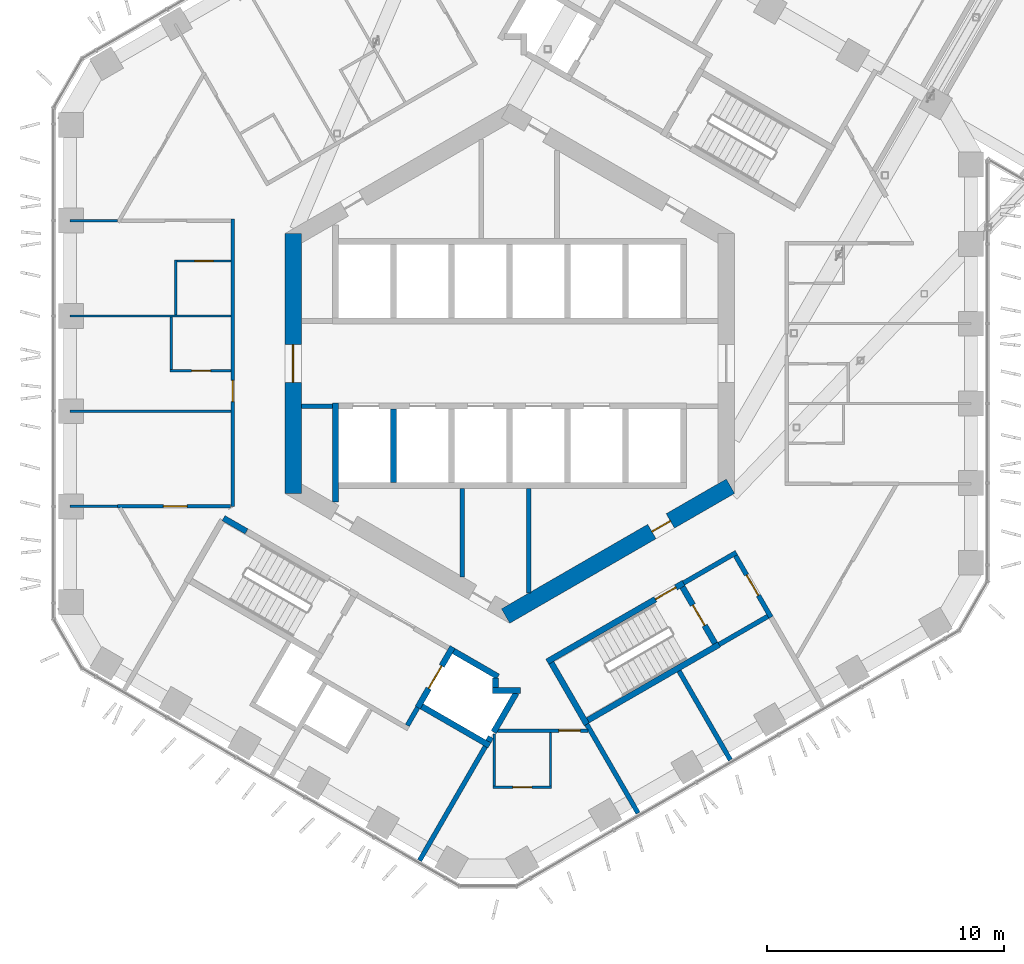
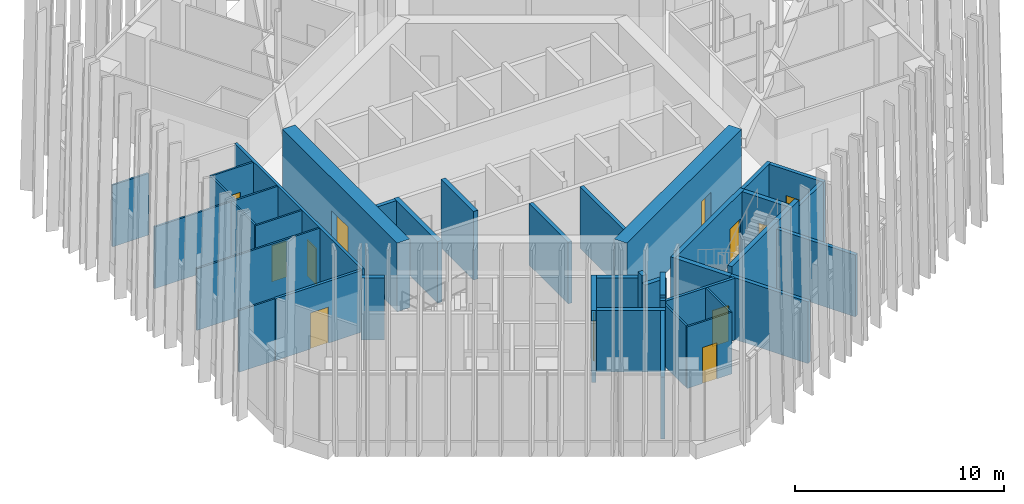
# One storey, part 20 of 31: 40 walls, 12 doors, 12 openings.
"""IFC4 building model written with IfcOpenShell, lengths in metres."""

from ifc_helpers import new_model, si_unit, direction, frame, frame_2d, origin, place, context, subcontext, project, spatial, rectangle, extrude, material, layer, layer_set, type_object, element, fill, save


model = new_model("IFC4")

# Units and contexts
model_context = context("Model", 3, precision=1e-05, world=origin(), true_north=direction((0.0, 1.0)))
body_context = subcontext(model_context, "Body", "Model", "MODEL_VIEW")
ifc_project = project(units=[si_unit("LENGTHUNIT", "METRE"), si_unit("AREAUNIT", "SQUARE_METRE"), si_unit("VOLUMEUNIT", "CUBIC_METRE"), si_unit("PLANEANGLEUNIT", "RADIAN"), si_unit("MASSUNIT", "GRAM", prefix="KILO")], contexts=[model_context])

# Site, building, storey
site_placement = place(None, origin())
site = spatial("IfcSite", under=ifc_project, at=site_placement, CompositionType="ELEMENT")
building_placement = place(site_placement, origin())
building = spatial("IfcBuilding", under=site, at=building_placement, Name="Ayvan Gate Tower", CompositionType="ELEMENT")
storey_placement = place(building_placement, frame((0.0, 0.0, 135.89990234375)))
storey = spatial("IfcBuildingStorey", under=building, at=storey_placement, Name="L36", CompositionType="ELEMENT", Elevation=135.89990234375)

# Wall, opening, door
ifc_material_1 = material(Name="Concrete C70/85", Category="concrete")
ifc_layer_1 = layer(ifc_material_1, 0.699951171875)
ifc_layer_set_1 = layer_set([ifc_layer_1], Name="Concrete C70/85")
wall_type_1 = type_object("IfcWallType", Name="Core wall 700 C70/85", PredefinedType="SHEAR", material=ifc_layer_set_1)
wall_1_placement = place(storey_placement, frame((-9.14990234375, 5.48486328125, 0.0), z_axis=(0.0, 0.0, 1.0), x_axis=(0.0, -1.0, 0.0)))
wall_1 = element("IfcWall", 1, at=wall_1_placement, inside=storey, type_object=wall_type_1, Name="CORE-L36-3", PredefinedType="SHEAR", context=body_context, shape_type="SweptSolid", body=[
    extrude(rectangle(XDim=10.9697265625, YDim=0.699951171875, at=frame_2d((5.48486328125, 0.0))), origin(), (0.0, 0.0, 1.0), 4.0),
])
opening_1_placement = place(wall_1_placement, frame((4.684814453125, 0.0, 0.0)))
opening_1 = element("IfcOpeningElement", 2, at=opening_1_placement, cuts=wall_1, Name="Opening L36-D56", PredefinedType="OPENING", context=body_context, shape_type="SweptSolid", body=[
    extrude(rectangle(XDim=1.60009765625, YDim=2.10009765625, at=frame_2d((0.800048828125, 1.050048828125))), frame((0.0, 0.35986328125, 0.0), z_axis=(0.0, -1.0, 0.0), x_axis=(1.0, 0.0, 0.0)), (0.0, 0.0, 1.0), 0.719970703125),
])
ifc_material_2 = material(Name="Timber door leaf", Category="wood")
door_type_1 = type_object("IfcDoorType", Name="DT-1600", OperationType="NOTDEFINED", PredefinedType="DOOR", material=ifc_material_2)
door_1_placement = place(opening_1_placement, origin())
door_1 = element("IfcDoor", 3, at=door_1_placement, inside=storey, type_object=door_type_1, Name="CD-L36-56", OperationType="SINGLE_SWING_RIGHT", OverallHeight=2.10009765625, OverallWidth=1.60009765625, PredefinedType="DOOR", context=body_context, shape_type="SweptSolid", body=[
    extrude(rectangle(XDim=1.60009765625, YDim=2.10009765625, at=frame_2d((0.800048828125, 1.050048828125))), frame((0.0, 0.02490234375, 0.0), z_axis=(0.0, -1.0, 0.0), x_axis=(1.0, 0.0, 0.0)), (0.0, 0.0, 1.0), 0.050048828125),
])
fill(opening_1, door_1)

wall_2_placement = place(storey_placement, frame((-0.175048828125, -10.66650390625, 0.0), z_axis=(0.0, 0.0, 1.0), x_axis=(0.866023993627, 0.500002442456, 0.0)))
wall_2 = element("IfcWall", 4, at=wall_2_placement, inside=storey, type_object=wall_type_1, Name="CORE-L36-5", PredefinedType="SHEAR", context=body_context, shape_type="SweptSolid", body=[
    extrude(rectangle(XDim=10.9697265625, YDim=0.699951171875, at=frame_2d((5.48486328125, 0.0))), origin(), (0.0, 0.0, 1.0), 4.0),
])
opening_2_placement = place(wall_2_placement, frame((7.136962890625, 0.0, 0.0)))
opening_2 = element("IfcOpeningElement", 5, at=opening_2_placement, cuts=wall_2, Name="Opening L36-D54", PredefinedType="OPENING", context=body_context, shape_type="SweptSolid", body=[
    extrude(rectangle(XDim=0.89990234375, YDim=2.10009765625, at=frame_2d((0.449951171875, 1.050048828125))), frame((0.0, 0.35986328125, 0.0), z_axis=(0.0, -1.0, 0.0), x_axis=(1.0, 0.0, 0.0)), (0.0, 0.0, 1.0), 0.719970703125),
])
door_type_2 = type_object("IfcDoorType", Name="DT-900", OperationType="NOTDEFINED", PredefinedType="DOOR", material=ifc_material_2)
door_2_placement = place(opening_2_placement, origin())
door_2 = element("IfcDoor", 6, at=door_2_placement, inside=storey, type_object=door_type_2, Name="CD-L36-54", OperationType="SINGLE_SWING_RIGHT", OverallHeight=2.10009765625, OverallWidth=0.89990234375, PredefinedType="DOOR", context=body_context, shape_type="SweptSolid", body=[
    extrude(rectangle(XDim=0.89990234375, YDim=2.10009765625, at=frame_2d((0.449951171875, 1.050048828125))), frame((0.0, 0.02490234375, 0.0), z_axis=(0.0, -1.0, 0.0), x_axis=(1.0, 0.0, 0.0)), (0.0, 0.0, 1.0), 0.050048828125),
])
fill(opening_2, door_2)

ifc_material_3 = material(Name="Plasterboard on steel stud", Category="steel")
ifc_layer_2 = layer(ifc_material_3, 0.14990234375)
ifc_layer_set_2 = layer_set([ifc_layer_2], Name="Plasterboard on steel stud")
wall_type_2 = type_object("IfcWallType", Name="WT-CORR-150", PredefinedType="PARTITIONING", material=ifc_layer_set_2)
wall_3_placement = place(storey_placement, frame((-16.57421875, -6.030029296875, 0.0), z_axis=(0.0, 0.0, 1.0), x_axis=(1.0, 0.0, 0.0)))
wall_3 = element("IfcWall", 7, at=wall_3_placement, inside=storey, type_object=wall_type_2, Name="IW-L36-002", PredefinedType="PARTITIONING", context=body_context, shape_type="SweptSolid", body=[
    extrude(rectangle(XDim=4.77880859375, YDim=0.14990234375, at=frame_2d((2.389404296875, 0.0))), origin(), (0.0, 0.0, 1.0), 3.60009765625),
])
opening_3_placement = place(wall_3_placement, frame((1.9443359375, 0.0, 0.0)))
opening_3 = element("IfcOpeningElement", 8, at=opening_3_placement, cuts=wall_3, Name="Opening L36-D28", PredefinedType="OPENING", context=body_context, shape_type="SweptSolid", body=[
    extrude(rectangle(XDim=1.0, YDim=2.10009765625, at=frame_2d((0.5, 1.050048828125))), frame((0.0, 0.0849609375, 0.0), z_axis=(0.0, -1.0, 0.0), x_axis=(1.0, 0.0, 0.0)), (0.0, 0.0, 1.0), 0.169921875),
])
door_type_3 = type_object("IfcDoorType", Name="DT-1000", OperationType="NOTDEFINED", PredefinedType="DOOR", material=ifc_material_2)
door_3_placement = place(opening_3_placement, origin())
door_3 = element("IfcDoor", 9, at=door_3_placement, inside=storey, type_object=door_type_3, Name="ID-L36-028", OperationType="SINGLE_SWING_RIGHT", OverallHeight=2.10009765625, OverallWidth=1.0, PredefinedType="DOOR", context=body_context, shape_type="SweptSolid", body=[
    extrude(rectangle(XDim=1.0, YDim=2.10009765625, at=frame_2d((0.5, 1.050048828125))), frame((0.0, 0.02490234375, 0.0), z_axis=(0.0, -1.0, 0.0), x_axis=(1.0, 0.0, 0.0)), (0.0, 0.0, 1.0), 0.050048828125),
])
fill(opening_3, door_3)

wall_4_placement = place(storey_placement, frame((-11.699951171875, 6.10498046875, 0.0), z_axis=(0.0, 0.0, 1.0), x_axis=(0.0, -1.0, 0.0)))
wall_4 = element("IfcWall", 10, at=wall_4_placement, inside=storey, type_object=wall_type_2, Name="IW-L36-015", PredefinedType="PARTITIONING", context=body_context, shape_type="SweptSolid", body=[
    extrude(rectangle(XDim=12.135009765625, YDim=0.14990234375, at=frame_2d((6.0673828125, 0.0))), origin(), (0.0, 0.0, 1.0), 3.60009765625),
])
opening_4_placement = place(wall_4_placement, frame((6.81494140625, 0.0, 0.0)))
opening_4 = element("IfcOpeningElement", 11, at=opening_4_placement, cuts=wall_4, Name="Opening L36-D26", PredefinedType="OPENING", context=body_context, shape_type="SweptSolid", body=[
    extrude(rectangle(XDim=0.89990234375, YDim=2.10009765625, at=frame_2d((0.449951171875, 1.050048828125))), frame((0.0, 0.0849609375, 0.0), z_axis=(0.0, -1.0, 0.0), x_axis=(1.0, 0.0, 0.0)), (0.0, 0.0, 1.0), 0.169921875),
])
door_4_placement = place(opening_4_placement, origin())
door_4 = element("IfcDoor", 12, at=door_4_placement, inside=storey, type_object=door_type_2, Name="ID-L36-026", OperationType="SINGLE_SWING_RIGHT", OverallHeight=2.10009765625, OverallWidth=0.89990234375, PredefinedType="DOOR", context=body_context, shape_type="SweptSolid", body=[
    extrude(rectangle(XDim=0.89990234375, YDim=2.10009765625, at=frame_2d((0.449951171875, 1.050048828125))), frame((0.0, 0.02490234375, 0.0), z_axis=(0.0, -1.0, 0.0), x_axis=(1.0, 0.0, 0.0)), (0.0, 0.0, 1.0), 0.050048828125),
])
fill(opening_4, door_4)

wall_5_placement = place(storey_placement, frame((-0.51220703125, -15.50390625, 0.0), z_axis=(0.0, 0.0, 1.0), x_axis=(1.0, 0.0, 0.0)))
wall_5 = element("IfcWall", 13, at=wall_5_placement, inside=storey, type_object=wall_type_2, Name="IW-L36-074", PredefinedType="PARTITIONING", context=body_context, shape_type="SweptSolid", body=[
    extrude(rectangle(XDim=3.82080078125, YDim=0.14990234375, at=frame_2d((1.910400390625, 0.0))), origin(), (0.0, 0.0, 1.0), 3.60009765625),
])
opening_5_placement = place(wall_5_placement, frame((2.594482421875, 0.0, 0.0)))
opening_5 = element("IfcOpeningElement", 14, at=opening_5_placement, cuts=wall_5, Name="Opening L36-D30", PredefinedType="OPENING", context=body_context, shape_type="SweptSolid", body=[
    extrude(rectangle(XDim=0.89990234375, YDim=2.10009765625, at=frame_2d((0.449951171875, 1.050048828125))), frame((0.0, 0.0849609375, 0.0), z_axis=(0.0, -1.0, 0.0), x_axis=(1.0, 0.0, 0.0)), (0.0, 0.0, 1.0), 0.169921875),
])
door_5_placement = place(opening_5_placement, origin())
door_5 = element("IfcDoor", 15, at=door_5_placement, inside=storey, type_object=door_type_2, Name="ID-L36-030", OperationType="SINGLE_SWING_RIGHT", OverallHeight=2.10009765625, OverallWidth=0.89990234375, PredefinedType="DOOR", context=body_context, shape_type="SweptSolid", body=[
    extrude(rectangle(XDim=0.89990234375, YDim=2.10009765625, at=frame_2d((0.449951171875, 1.050048828125))), frame((0.0, 0.02490234375, 0.0), z_axis=(0.0, -1.0, 0.0), x_axis=(1.0, 0.0, 0.0)), (0.0, 0.0, 1.0), 0.050048828125),
])
fill(opening_5, door_5)

# Walls
ifc_layer_3 = layer(ifc_material_3, 0.10009765625)
ifc_layer_set_3 = layer_set([ifc_layer_3], Name="Plasterboard on steel stud")
wall_type_3 = type_object("IfcWallType", Name="WT-PART-100", PredefinedType="PARTITIONING", material=ifc_layer_set_3)
for number, where, z_axis, x_axis, name in (
    (16, (-16.57421875, 6.030029296875, 0.0), (0.0, 0.0, 1.0), (-1.0, 0.0, 0.0), "IW-L36-000"),
    (17, (-16.57421875, -6.030029296875, 0.0), (0.0, 0.0, 1.0), (-1.0, 0.0, 0.0), "IW-L36-003"),
):
    element("IfcWall", number, at=place(storey_placement, frame(where, z_axis=z_axis, x_axis=x_axis)), inside=storey, type_object=wall_type_3, Name=name, PredefinedType="PARTITIONING", context=body_context, shape_type="SweptSolid", body=[
        extrude(rectangle(XDim=1.98974609375, YDim=0.10009765625, at=frame_2d((0.994873046875, 0.0))), origin(), (0.0, 0.0, 1.0), 3.60009765625),
    ])

# Wall, opening, door
wall_6_placement = place(storey_placement, frame((-14.35009765625, -0.31005859375, 0.0), z_axis=(0.0, 0.0, 1.0), x_axis=(1.0, 0.0, 0.0)))
wall_6 = element("IfcWall", 18, at=wall_6_placement, inside=storey, type_object=wall_type_3, Name="IW-L36-005", PredefinedType="PARTITIONING", context=body_context, shape_type="SweptSolid", body=[
    extrude(rectangle(XDim=2.5751953125, YDim=0.10009765625, at=frame_2d((1.28759765625, 0.0))), origin(), (0.0, 0.0, 1.0), 3.60009765625),
])
opening_6_placement = place(wall_6_placement, frame((0.91259765625, 0.0, 0.0)))
opening_6 = element("IfcOpeningElement", 19, at=opening_6_placement, cuts=wall_6, Name="Opening L36-D27", PredefinedType="OPENING", context=body_context, shape_type="SweptSolid", body=[
    extrude(rectangle(XDim=0.800048828125, YDim=2.10009765625, at=frame_2d((0.39990234375, 1.050048828125))), frame((0.0, 0.06005859375, 0.0), z_axis=(0.0, -1.0, 0.0), x_axis=(1.0, 0.0, 0.0)), (0.0, 0.0, 1.0), 0.1201171875),
])
door_type_4 = type_object("IfcDoorType", Name="DT-800", OperationType="NOTDEFINED", PredefinedType="DOOR", material=ifc_material_2)
door_6_placement = place(opening_6_placement, origin())
door_6 = element("IfcDoor", 20, at=door_6_placement, inside=storey, type_object=door_type_4, Name="ID-L36-027", OperationType="SINGLE_SWING_LEFT", OverallHeight=2.10009765625, OverallWidth=0.800048828125, PredefinedType="DOOR", context=body_context, shape_type="SweptSolid", body=[
    extrude(rectangle(XDim=0.800048828125, YDim=2.10009765625, at=frame_2d((0.39990234375, 1.050048828125))), frame((0.0, 0.02490234375, 0.0), z_axis=(0.0, -1.0, 0.0), x_axis=(1.0, 0.0, 0.0)), (0.0, 0.0, 1.0), 0.050048828125),
])
fill(opening_6, door_6)

# Walls
wall_7_placement = place(storey_placement, frame((-14.300048828125, 1.9599609375, 0.0), z_axis=(0.0, 0.0, 1.0), x_axis=(0.0, -1.0, 0.0)))
element("IfcWall", 21, at=wall_7_placement, inside=storey, type_object=wall_type_3, Name="IW-L36-006", PredefinedType="PARTITIONING", context=body_context, shape_type="SweptSolid", body=[
    extrude(rectangle(XDim=2.219970703125, YDim=0.10009765625, at=frame_2d((1.10986328125, 0.0))), origin(), (0.0, 0.0, 1.0), 3.60009765625),
])
wall_8_placement = place(storey_placement, frame((-18.56396484375, 2.010009765625, 0.0), z_axis=(0.0, 0.0, 1.0), x_axis=(1.0, 0.0, 0.0)))
element("IfcWall", 22, at=wall_8_placement, inside=storey, type_object=wall_type_3, Name="IW-L36-007", PredefinedType="PARTITIONING", context=body_context, shape_type="SweptSolid", body=[
    extrude(rectangle(XDim=6.7890625, YDim=0.10009765625, at=frame_2d((3.39453125, 0.0))), origin(), (0.0, 0.0, 1.0), 3.60009765625),
])
wall_9_placement = place(storey_placement, frame((-14.10009765625, 4.3798828125, 0.0), z_axis=(0.0, 0.0, 1.0), x_axis=(0.0, -1.0, 0.0)))
element("IfcWall", 23, at=wall_9_placement, inside=storey, type_object=wall_type_3, Name="IW-L36-010", PredefinedType="PARTITIONING", context=body_context, shape_type="SweptSolid", body=[
    extrude(rectangle(XDim=2.31982421875, YDim=0.10009765625, at=frame_2d((1.159912109375, 0.0))), origin(), (0.0, 0.0, 1.0), 3.60009765625),
])
wall_10_placement = place(storey_placement, frame((-11.77490234375, -2.010009765625, 0.0), z_axis=(0.0, 0.0, 1.0), x_axis=(-1.0, 0.0, 0.0)))
element("IfcWall", 24, at=wall_10_placement, inside=storey, type_object=wall_type_3, Name="IW-L36-014", PredefinedType="PARTITIONING", context=body_context, shape_type="SweptSolid", body=[
    extrude(rectangle(XDim=6.7890625, YDim=0.10009765625, at=frame_2d((3.39453125, 0.0))), origin(), (0.0, 0.0, 1.0), 3.60009765625),
])

# Wall, opening, door
wall_11_placement = place(storey_placement, frame((-11.77490234375, 4.330078125, 0.0), z_axis=(0.0, 0.0, 1.0), x_axis=(-1.0, 0.0, 0.0)))
wall_11 = element("IfcWall", 25, at=wall_11_placement, inside=storey, type_object=wall_type_3, Name="IW-L36-016", PredefinedType="PARTITIONING", context=body_context, shape_type="SweptSolid", body=[
    extrude(rectangle(XDim=2.275146484375, YDim=0.10009765625, at=frame_2d((1.1376953125, 0.0))), origin(), (0.0, 0.0, 1.0), 3.60009765625),
])
opening_7_placement = place(wall_11_placement, frame((0.737548828125, 0.0, 0.0)))
opening_7 = element("IfcOpeningElement", 26, at=opening_7_placement, cuts=wall_11, Name="Opening L36-D25", PredefinedType="OPENING", context=body_context, shape_type="SweptSolid", body=[
    extrude(rectangle(XDim=0.800048828125, YDim=2.10009765625, at=frame_2d((0.39990234375, 1.050048828125))), frame((0.0, 0.06005859375, 0.0), z_axis=(0.0, -1.0, 0.0), x_axis=(1.0, 0.0, 0.0)), (0.0, 0.0, 1.0), 0.1201171875),
])
door_7_placement = place(opening_7_placement, origin())
door_7 = element("IfcDoor", 27, at=door_7_placement, inside=storey, type_object=door_type_4, Name="ID-L36-025", OperationType="SINGLE_SWING_LEFT", OverallHeight=2.10009765625, OverallWidth=0.800048828125, PredefinedType="DOOR", context=body_context, shape_type="SweptSolid", body=[
    extrude(rectangle(XDim=0.800048828125, YDim=2.10009765625, at=frame_2d((0.39990234375, 1.050048828125))), frame((0.0, 0.02490234375, 0.0), z_axis=(0.0, -1.0, 0.0), x_axis=(1.0, 0.0, 0.0)), (0.0, 0.0, 1.0), 0.050048828125),
])
fill(opening_7, door_7)

wall_12_placement = place(storey_placement, frame((-0.70458984375, -17.90380859375, 0.0), z_axis=(0.0, 0.0, 1.0), x_axis=(1.0, 0.0, 0.0)))
wall_12 = element("IfcWall", 28, at=wall_12_placement, inside=storey, type_object=wall_type_3, Name="IW-L36-057", PredefinedType="PARTITIONING", context=body_context, shape_type="SweptSolid", body=[
    extrude(rectangle(XDim=2.48046875, YDim=0.10009765625, at=frame_2d((1.240234375, 0.0))), origin(), (0.0, 0.0, 1.0), 3.60009765625),
])
opening_8_placement = place(wall_12_placement, frame((0.840087890625, 0.0, 0.0)))
opening_8 = element("IfcOpeningElement", 29, at=opening_8_placement, cuts=wall_12, Name="Opening L36-D31", PredefinedType="OPENING", context=body_context, shape_type="SweptSolid", body=[
    extrude(rectangle(XDim=0.800048828125, YDim=2.10009765625, at=frame_2d((0.39990234375, 1.050048828125))), frame((0.0, 0.06005859375, 0.0), z_axis=(0.0, -1.0, 0.0), x_axis=(1.0, 0.0, 0.0)), (0.0, 0.0, 1.0), 0.1201171875),
])
door_8_placement = place(opening_8_placement, origin())
door_8 = element("IfcDoor", 30, at=door_8_placement, inside=storey, type_object=door_type_4, Name="ID-L36-031", OperationType="SINGLE_SWING_LEFT", OverallHeight=2.10009765625, OverallWidth=0.800048828125, PredefinedType="DOOR", context=body_context, shape_type="SweptSolid", body=[
    extrude(rectangle(XDim=0.800048828125, YDim=2.10009765625, at=frame_2d((0.39990234375, 1.050048828125))), frame((0.0, 0.02490234375, 0.0), z_axis=(0.0, -1.0, 0.0), x_axis=(1.0, 0.0, 0.0)), (0.0, 0.0, 1.0), 0.050048828125),
])
fill(opening_8, door_8)

# Walls
wall_13_placement = place(storey_placement, frame((-0.654541015625, -15.65869140625, 0.0), z_axis=(0.0, 0.0, 1.0), x_axis=(0.0, -1.0, 0.0)))
element("IfcWall", 31, at=wall_13_placement, inside=storey, type_object=wall_type_3, Name="IW-L36-058", PredefinedType="PARTITIONING", context=body_context, shape_type="SweptSolid", body=[
    extrude(rectangle(XDim=2.195068359375, YDim=0.10009765625, at=frame_2d((1.09765625, 0.0))), origin(), (0.0, 0.0, 1.0), 3.60009765625),
])
wall_14_placement = place(storey_placement, frame((1.725830078125, -17.853759765625, 0.0), z_axis=(0.0, 0.0, 1.0), x_axis=(0.0, 1.0, 0.0)))
element("IfcWall", 32, at=wall_14_placement, inside=storey, type_object=wall_type_3, Name="IW-L36-073", PredefinedType="PARTITIONING", context=body_context, shape_type="SweptSolid", body=[
    extrude(rectangle(XDim=2.27490234375, YDim=0.10009765625, at=frame_2d((1.137451171875, 0.0))), origin(), (0.0, 0.0, 1.0), 3.60009765625),
])
ifc_layer_4 = layer(ifc_material_3, 0.199951171875)
ifc_layer_set_4 = layer_set([ifc_layer_4], Name="Plasterboard on steel stud")
wall_type_4 = type_object("IfcWallType", Name="WT-PLUMB-200", PredefinedType="PLUMBINGWALL", material=ifc_layer_set_4)
wall_15_placement = place(storey_placement, frame((-3.885009765625, -14.52880859375, 0.0), z_axis=(0.0, 0.0, 1.0), x_axis=(-0.499859285417, -0.866106630146, 0.0)))
element("IfcWall", 33, at=wall_15_placement, inside=storey, type_object=wall_type_4, Name="IW-L36-043", PredefinedType="PLUMBINGWALL", context=body_context, shape_type="SweptSolid", body=[
    extrude(rectangle(XDim=0.875244140625, YDim=0.199951171875, at=frame_2d((0.4375, 0.0))), origin(), (0.0, 0.0, 1.0), 3.60009765625),
])
wall_16_placement = place(storey_placement, frame((-1.027099609375, -16.178955078125, 0.0), z_axis=(0.0, 0.0, 1.0), x_axis=(-0.499995019066, -0.866028279509, 0.0)))
element("IfcWall", 34, at=wall_16_placement, inside=storey, type_object=wall_type_4, Name="IW-L36-056", PredefinedType="PLUMBINGWALL", context=body_context, shape_type="SweptSolid", body=[
    extrude(rectangle(XDim=5.556640625, YDim=0.199951171875, at=frame_2d((2.7783203125, 0.0))), origin(), (0.0, 0.0, 1.0), 3.60009765625),
])
for number, where, z_axis, x_axis, name in (
    (35, (3.255615234375, -15.23876953125, 0.0), (0.0, 0.0, 1.0), (0.500003586584, -0.866023333059, 0.0), "IW-L36-086"),
    (36, (7.152587890625, -12.98876953125, 0.0), (0.0, 0.0, 1.0), (0.500045824144, -0.865998945586, 0.0), "IW-L36-096"),
):
    element("IfcWall", number, at=place(storey_placement, frame(where, z_axis=z_axis, x_axis=x_axis)), inside=storey, type_object=wall_type_4, Name=name, PredefinedType="PLUMBINGWALL", context=body_context, shape_type="SweptSolid", body=[
        extrude(rectangle(XDim=4.3349609375, YDim=0.199951171875, at=frame_2d((2.16748046875, 0.0))), origin(), (0.0, 0.0, 1.0), 3.60009765625),
    ])
wall_17_placement = place(storey_placement, frame((10.900634765625, -10.6806640625, 0.0), z_axis=(0.0, 0.0, 1.0), x_axis=(-0.866007538022, -0.500030943131, 0.0)))
element("IfcWall", 37, at=wall_17_placement, inside=storey, type_object=wall_type_4, Name="IW-L36-112", PredefinedType="PLUMBINGWALL", context=body_context, shape_type="SweptSolid", body=[
    extrude(rectangle(XDim=2.374755859375, YDim=0.199951171875, at=frame_2d((1.1875, 0.0))), origin(), (0.0, 0.0, 1.0), 3.60009765625),
])
ifc_layer_5 = layer(ifc_material_3, 0.199951171875)
ifc_layer_set_5 = layer_set([ifc_layer_5], Name="Plasterboard on steel stud")
wall_type_5 = type_object("IfcWallType", Name="WT-RATED-200", PredefinedType="PARTITIONING", material=ifc_layer_set_5)
wall_18_placement = place(storey_placement, frame((-7.474853515625, -1.800048828125, 0.0), z_axis=(0.0, 0.0, 1.0), x_axis=(-1.0, 0.0, 0.0)))
element("IfcWall", 38, at=wall_18_placement, inside=storey, type_object=wall_type_5, Name="IW-L36-031", PredefinedType="PARTITIONING", context=body_context, shape_type="SweptSolid", body=[
    extrude(rectangle(XDim=1.3251953125, YDim=0.199951171875, at=frame_2d((0.66259765625, 0.0))), origin(), (0.0, 0.0, 1.0), 3.60009765625),
])
wall_19_placement = place(storey_placement, frame((-2.0, -5.27490234375, 0.0), z_axis=(0.0, 0.0, 1.0), x_axis=(0.0, -1.0, 0.0)))
element("IfcWall", 39, at=wall_19_placement, inside=storey, type_object=wall_type_5, Name="IW-L36-052", PredefinedType="PARTITIONING", context=body_context, shape_type="SweptSolid", body=[
    extrude(rectangle(XDim=3.731689453125, YDim=0.199951171875, at=frame_2d((1.86572265625, 0.0))), origin(), (0.0, 0.0, 1.0), 3.60009765625),
])
wall_20_placement = place(storey_placement, frame((0.800048828125, -5.27490234375, 0.0), z_axis=(0.0, 0.0, 1.0), x_axis=(0.0, -1.0, 0.0)))
element("IfcWall", 40, at=wall_20_placement, inside=storey, type_object=wall_type_5, Name="IW-L36-069", PredefinedType="PARTITIONING", context=body_context, shape_type="SweptSolid", body=[
    extrude(rectangle(XDim=4.424560546875, YDim=0.199951171875, at=frame_2d((2.21240234375, 0.0))), origin(), (0.0, 0.0, 1.0), 3.60009765625),
])
wall_21_placement = place(storey_placement, frame((7.343994140625, -9.27001953125, 0.0), z_axis=(0.0, 0.0, 1.0), x_axis=(0.866005588531, 0.500034319456, 0.0)))
element("IfcWall", 41, at=wall_21_placement, inside=storey, type_object=wall_type_5, Name="IW-L36-099", PredefinedType="PARTITIONING", context=body_context, shape_type="SweptSolid", body=[
    extrude(rectangle(XDim=2.574951171875, YDim=0.199951171875, at=frame_2d((1.28759765625, 0.0))), origin(), (0.0, 0.0, 1.0), 3.60009765625),
])

# Wall, opening, door
wall_22_placement = place(storey_placement, frame((9.537353515625, -8.119140625, 0.0), z_axis=(0.0, 0.0, 1.0), x_axis=(0.499990139034, -0.866031096941, 0.0)))
wall_22 = element("IfcWall", 42, at=wall_22_placement, inside=storey, type_object=wall_type_5, Name="IW-L36-109", PredefinedType="PARTITIONING", context=body_context, shape_type="SweptSolid", body=[
    extrude(rectangle(XDim=3.0, YDim=0.199951171875, at=frame_2d((1.5, 0.0))), origin(), (0.0, 0.0, 1.0), 3.60009765625),
])
opening_9_placement = place(wall_22_placement, frame((0.93505859375, 0.0, 0.0)))
opening_9 = element("IfcOpeningElement", 43, at=opening_9_placement, cuts=wall_22, Name="Opening L36-D15", PredefinedType="OPENING", context=body_context, shape_type="SweptSolid", body=[
    extrude(rectangle(XDim=1.0, YDim=2.10009765625, at=frame_2d((0.5, 1.050048828125))), frame((0.0, 0.10986328125, 0.0), z_axis=(0.0, -1.0, 0.0), x_axis=(1.0, 0.0, 0.0)), (0.0, 0.0, 1.0), 0.219970703125),
])
door_9_placement = place(opening_9_placement, origin())
door_9 = element("IfcDoor", 44, at=door_9_placement, inside=storey, type_object=door_type_3, Name="ID-L36-015", OperationType="SINGLE_SWING_LEFT", OverallHeight=2.10009765625, OverallWidth=1.0, PredefinedType="DOOR", context=body_context, shape_type="SweptSolid", body=[
    extrude(rectangle(XDim=1.0, YDim=2.10009765625, at=frame_2d((0.5, 1.050048828125))), frame((0.0, 0.02490234375, 0.0), z_axis=(0.0, -1.0, 0.0), x_axis=(1.0, 0.0, 0.0)), (0.0, 0.0, 1.0), 0.050048828125),
])
fill(opening_9, door_9)

# Walls
ifc_material_4 = material(Name="Concrete C50/60", Category="concrete")
ifc_layer_6 = layer(ifc_material_4, 0.25)
ifc_layer_set_6 = layer_set([ifc_layer_6], Name="Concrete C50/60")
wall_type_6 = type_object("IfcWallType", Name="WT-RC-250", PredefinedType="SHEAR", material=ifc_layer_set_6)
wall_23_placement = place(storey_placement, frame((-12.08544921875, -6.532470703125, 0.0), z_axis=(0.0, 0.0, 1.0), x_axis=(0.86604373436, -0.499968249168, 0.0)))
element("IfcWall", 45, at=wall_23_placement, inside=storey, type_object=wall_type_6, Name="IW-L36-013", PredefinedType="SHEAR", context=body_context, shape_type="SweptSolid", body=[
    extrude(rectangle(XDim=1.11767578125, YDim=0.25, at=frame_2d((0.558837890625, 0.0))), origin(), (0.0, 0.0, 1.0), 3.60009765625),
])
wall_24_placement = place(storey_placement, frame((-7.35009765625, -5.845703125, 0.0), z_axis=(0.0, 0.0, 1.0), x_axis=(0.0, 1.0, 0.0)))
element("IfcWall", 46, at=wall_24_placement, inside=storey, type_object=wall_type_6, Name="IW-L36-028", PredefinedType="SHEAR", context=body_context, shape_type="SweptSolid", body=[
    extrude(rectangle(XDim=4.170654296875, YDim=0.25, at=frame_2d((2.08544921875, 0.0))), origin(), (0.0, 0.0, 1.0), 3.60009765625),
])
wall_25_placement = place(storey_placement, frame((-4.89990234375, -1.925048828125, 0.0), z_axis=(0.0, 0.0, 1.0), x_axis=(0.0, -1.0, 0.0)))
element("IfcWall", 47, at=wall_25_placement, inside=storey, type_object=wall_type_6, Name="IW-L36-038", PredefinedType="SHEAR", context=body_context, shape_type="SweptSolid", body=[
    extrude(rectangle(XDim=3.099853515625, YDim=0.25, at=frame_2d((1.5498046875, 0.0))), origin(), (0.0, 0.0, 1.0), 4.0),
])

# Wall, opening, door
wall_26_placement = place(storey_placement, frame((-2.409912109375, -11.97412109375, 0.0), z_axis=(0.0, 0.0, 1.0), x_axis=(-0.500001826776, -0.866024349092, 0.0)))
wall_26 = element("IfcWall", 48, at=wall_26_placement, inside=storey, type_object=wall_type_6, Name="IW-L36-047", PredefinedType="SHEAR", context=body_context, shape_type="SweptSolid", body=[
    extrude(rectangle(XDim=2.9501953125, YDim=0.25, at=frame_2d((1.47509765625, 0.0))), origin(), (0.0, 0.0, 1.0), 3.60009765625),
])
opening_10_placement = place(wall_26_placement, frame((0.925048828125, 0.0, 0.0)))
opening_10 = element("IfcOpeningElement", 49, at=opening_10_placement, cuts=wall_26, Name="Opening L36-LD-FF2", PredefinedType="OPENING", context=body_context, shape_type="SweptSolid", body=[
    extrude(rectangle(XDim=1.10009765625, YDim=2.10009765625, at=frame_2d((0.550048828125, 1.050048828125))), frame((0.0, 0.135009765625, 0.0), z_axis=(0.0, -1.0, 0.0), x_axis=(1.0, 0.0, 0.0)), (0.0, 0.0, 1.0), 0.27001953125),
])
ifc_material_5 = material(Name="Stainless steel landing door", Category="steel")
door_type_5 = type_object("IfcDoorType", Name="DT-LANDING-1100", OperationType="SLIDING_TO_LEFT", PredefinedType="DOOR", material=ifc_material_5)
door_10_placement = place(opening_10_placement, origin())
door_10 = element("IfcDoor", 50, at=door_10_placement, inside=storey, type_object=door_type_5, Name="ID-L36-013", OperationType="SLIDING_TO_LEFT", OverallHeight=2.10009765625, OverallWidth=1.10009765625, PredefinedType="DOOR", context=body_context, shape_type="SweptSolid", body=[
    extrude(rectangle(XDim=1.10009765625, YDim=2.10009765625, at=frame_2d((0.550048828125, 1.050048828125))), frame((0.0, 0.02490234375, 0.0), z_axis=(0.0, -1.0, 0.0), x_axis=(1.0, 0.0, 0.0)), (0.0, 0.0, 1.0), 0.050048828125),
])
fill(opening_10, door_10)

# Walls
wall_27_placement = place(storey_placement, frame((-2.3642578125, -12.14501953125, 0.0), z_axis=(0.0, 0.0, 1.0), x_axis=(0.86603892542, -0.499976579108, 0.0)))
element("IfcWall", 51, at=wall_27_placement, inside=storey, type_object=wall_type_6, Name="IW-L36-048", PredefinedType="SHEAR", context=body_context, shape_type="SweptSolid", body=[
    extrude(rectangle(XDim=2.162109375, YDim=0.25, at=frame_2d((1.0810546875, 0.0))), origin(), (0.0, 0.0, 1.0), 3.60009765625),
])
wall_28_placement = place(storey_placement, frame((-0.8564453125, -16.13330078125, 0.0), z_axis=(0.0, 0.0, 1.0), x_axis=(-0.866021716278, 0.500006386895, 0.0)))
element("IfcWall", 52, at=wall_28_placement, inside=storey, type_object=wall_type_6, Name="IW-L36-055", PredefinedType="SHEAR", context=body_context, shape_type="SweptSolid", body=[
    extrude(rectangle(XDim=3.2998046875, YDim=0.25, at=frame_2d((1.64990234375, 0.0))), origin(), (0.0, 0.0, 1.0), 3.60009765625),
])
wall_29_placement = place(storey_placement, frame((-0.79443359375, -15.776123046875, 0.0), z_axis=(0.0, 0.0, 1.0), x_axis=(-0.500409926597, -0.865788603161, 0.0)))
element("IfcWall", 53, at=wall_29_placement, inside=storey, type_object=wall_type_6, Name="IW-L36-059", PredefinedType="SHEAR", context=body_context, shape_type="SweptSolid", body=[
    extrude(rectangle(XDim=0.215087890625, YDim=0.25, at=frame_2d((0.107421875, 0.0))), origin(), (0.0, 0.0, 1.0), 4.0),
])
wall_30_placement = place(storey_placement, frame((-0.72509765625, -13.81005859375, 0.0), z_axis=(0.0, 0.0, 1.0), x_axis=(1.0, 0.0, 0.0)))
element("IfcWall", 54, at=wall_30_placement, inside=storey, type_object=wall_type_6, Name="IW-L36-060", PredefinedType="SHEAR", context=body_context, shape_type="SweptSolid", body=[
    extrude(rectangle(XDim=1.190673828125, YDim=0.25, at=frame_2d((0.59521484375, 0.0))), origin(), (0.0, 0.0, 1.0), 3.60009765625),
])
wall_31_placement = place(storey_placement, frame((-0.60009765625, -13.28857421875, 0.0), z_axis=(0.0, 0.0, 1.0), x_axis=(0.0, -1.0, 0.0)))
element("IfcWall", 55, at=wall_31_placement, inside=storey, type_object=wall_type_6, Name="IW-L36-061", PredefinedType="SHEAR", context=body_context, shape_type="SweptSolid", body=[
    extrude(rectangle(XDim=0.396484375, YDim=0.25, at=frame_2d((0.1982421875, 0.0))), origin(), (0.0, 0.0, 1.0), 4.0),
])
wall_32_placement = place(storey_placement, frame((0.278076171875, -13.918212890625, 0.0), z_axis=(0.0, 0.0, 1.0), x_axis=(-0.499955309825, -0.866051204132, 0.0)))
element("IfcWall", 56, at=wall_32_placement, inside=storey, type_object=wall_type_6, Name="IW-L36-066", PredefinedType="SHEAR", context=body_context, shape_type="SweptSolid", body=[
    extrude(rectangle(XDim=1.906005859375, YDim=0.25, at=frame_2d((0.953125, 0.0))), origin(), (0.0, 0.0, 1.0), 4.0),
])

# Wall, opening, door
wall_33_placement = place(storey_placement, frame((1.584716796875, -12.594970703125, 0.0), z_axis=(0.0, 0.0, 1.0), x_axis=(0.866036417653, 0.499980922934, 0.0)))
wall_33 = element("IfcWall", 57, at=wall_33_placement, inside=storey, type_object=wall_type_6, Name="IW-L36-072", PredefinedType="SHEAR", context=body_context, shape_type="SweptSolid", body=[
    extrude(rectangle(XDim=6.650146484375, YDim=0.25, at=frame_2d((3.3251953125, 0.0))), origin(), (0.0, 0.0, 1.0), 3.60009765625),
])
opening_11_placement = place(wall_33_placement, frame((5.27490234375, 0.0, 0.0)))
opening_11 = element("IfcOpeningElement", 58, at=opening_11_placement, cuts=wall_33, Name="Opening L36-D14", PredefinedType="OPENING", context=body_context, shape_type="SweptSolid", body=[
    extrude(rectangle(XDim=1.0, YDim=2.10009765625, at=frame_2d((0.5, 1.050048828125))), frame((0.0, 0.135009765625, 0.0), z_axis=(0.0, -1.0, 0.0), x_axis=(1.0, 0.0, 0.0)), (0.0, 0.0, 1.0), 0.27001953125),
])
door_11_placement = place(opening_11_placement, origin())
door_11 = element("IfcDoor", 59, at=door_11_placement, inside=storey, type_object=door_type_3, Name="ID-L36-014", OperationType="SINGLE_SWING_RIGHT", OverallHeight=2.10009765625, OverallWidth=1.0, PredefinedType="DOOR", context=body_context, shape_type="SweptSolid", body=[
    extrude(rectangle(XDim=1.0, YDim=2.10009765625, at=frame_2d((0.5, 1.050048828125))), frame((0.0, 0.02490234375, 0.0), z_axis=(0.0, -1.0, 0.0), x_axis=(1.0, 0.0, 0.0)), (0.0, 0.0, 1.0), 0.050048828125),
])
fill(opening_11, door_11)

# Walls
wall_34_placement = place(storey_placement, frame((3.255615234375, -15.23876953125, 0.0), z_axis=(0.0, 0.0, 1.0), x_axis=(-0.50002537861, 0.866010750942, 0.0)))
element("IfcWall", 60, at=wall_34_placement, inside=storey, type_object=wall_type_6, Name="IW-L36-085", PredefinedType="SHEAR", context=body_context, shape_type="SweptSolid", body=[
    extrude(rectangle(XDim=2.999755859375, YDim=0.25, at=frame_2d((1.5, 0.0))), origin(), (0.0, 0.0, 1.0), 3.60009765625),
])
wall_35_placement = place(storey_placement, frame((3.30126953125, -15.068115234375, 0.0), z_axis=(0.0, 0.0, 1.0), x_axis=(0.866035036182, 0.499983315828, 0.0)))
element("IfcWall", 61, at=wall_35_placement, inside=storey, type_object=wall_type_6, Name="IW-L36-097", PredefinedType="SHEAR", context=body_context, shape_type="SweptSolid", body=[
    extrude(rectangle(XDim=6.400146484375, YDim=0.25, at=frame_2d((3.2001953125, 0.0))), origin(), (0.0, 0.0, 1.0), 4.0),
])

# Wall, opening, door
wall_36_placement = place(storey_placement, frame((7.298095703125, -9.44091796875, 0.0), z_axis=(0.0, 0.0, 1.0), x_axis=(0.500034990121, -0.866005201286, 0.0)))
wall_36 = element("IfcWall", 62, at=wall_36_placement, inside=storey, type_object=wall_type_6, Name="IW-L36-098", PredefinedType="SHEAR", context=body_context, shape_type="SweptSolid", body=[
    extrude(rectangle(XDim=2.749755859375, YDim=0.25, at=frame_2d((1.375, 0.0))), origin(), (0.0, 0.0, 1.0), 3.60009765625),
])
opening_12_placement = place(wall_36_placement, frame((0.875, 0.0, 0.0)))
opening_12 = element("IfcOpeningElement", 63, at=opening_12_placement, cuts=wall_36, Name="Opening L36-D16", PredefinedType="OPENING", context=body_context, shape_type="SweptSolid", body=[
    extrude(rectangle(XDim=1.0, YDim=2.10009765625, at=frame_2d((0.5, 1.050048828125))), frame((0.0, 0.135009765625, 0.0), z_axis=(0.0, -1.0, 0.0), x_axis=(1.0, 0.0, 0.0)), (0.0, 0.0, 1.0), 0.27001953125),
])
door_12_placement = place(opening_12_placement, origin())
door_12 = element("IfcDoor", 64, at=door_12_placement, inside=storey, type_object=door_type_3, Name="ID-L36-016", OperationType="SINGLE_SWING_RIGHT", OverallHeight=2.10009765625, OverallWidth=1.0, PredefinedType="DOOR", context=body_context, shape_type="SweptSolid", body=[
    extrude(rectangle(XDim=1.0, YDim=2.10009765625, at=frame_2d((0.5, 1.050048828125))), frame((0.0, 0.02490234375, 0.0), z_axis=(0.0, -1.0, 0.0), x_axis=(1.0, 0.0, 0.0)), (0.0, 0.0, 1.0), 0.050048828125),
])
fill(opening_12, door_12)

save(model, "model.ifc")
